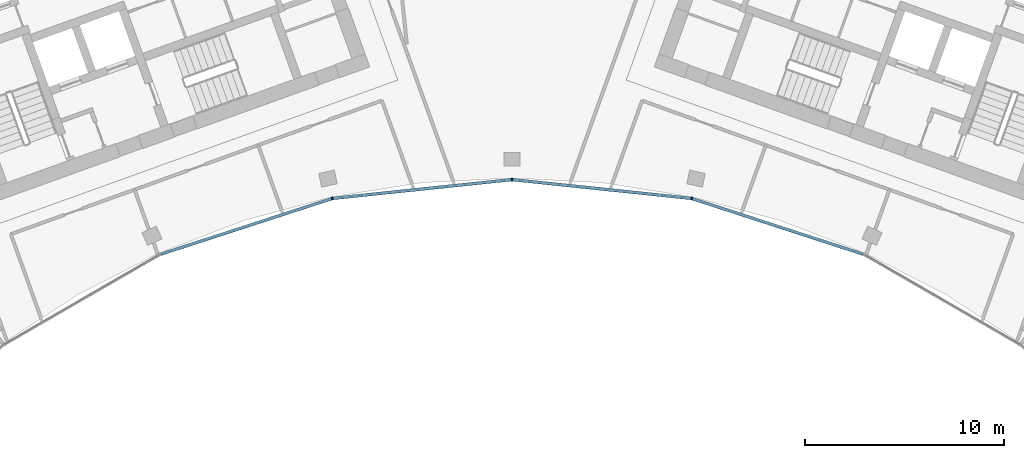
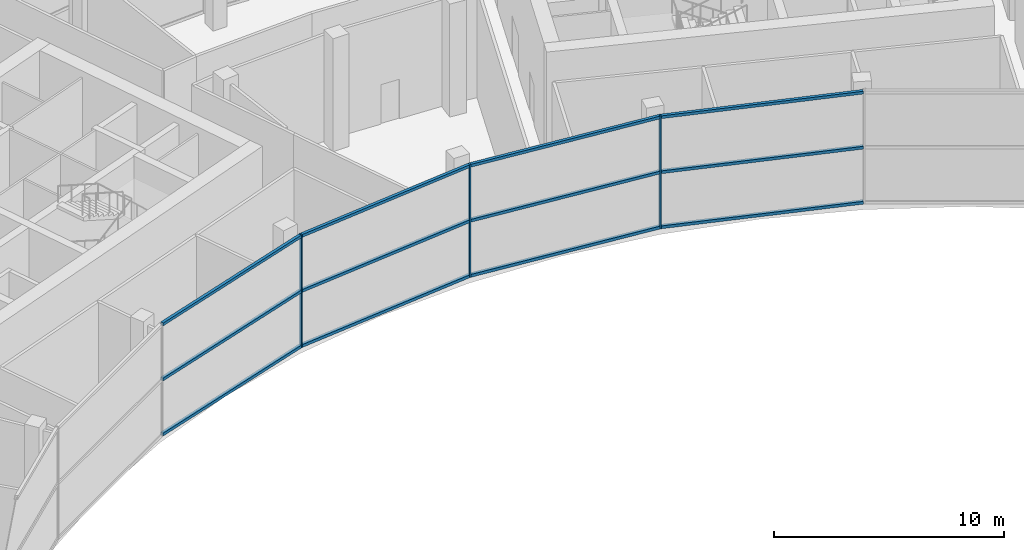
# One storey, part 4 of 18: 15 members, 1 element without a shape of its own.
"""IFC4 building model written with IfcOpenShell, lengths in metres."""

from ifc_helpers import new_model, si_unit, direction, frame, origin, origin_2d, place, context, subcontext, project, spatial, rectangle, extrude, material, layer, layer_set, material_profile, profile_set, type_object, element, aggregate, save


model = new_model("IFC4")

# Units and contexts
model_context = context("Model", 3, precision=1e-05, world=origin(), true_north=direction((0.0, 1.0)))
body_context = subcontext(model_context, "Body", "Model", "MODEL_VIEW")
ifc_project = project(units=[si_unit("LENGTHUNIT", "METRE"), si_unit("AREAUNIT", "SQUARE_METRE"), si_unit("VOLUMEUNIT", "CUBIC_METRE"), si_unit("PLANEANGLEUNIT", "RADIAN"), si_unit("MASSUNIT", "GRAM", prefix="KILO")], contexts=[model_context])

# Site, building, storey
site_placement = place(None, origin())
site = spatial("IfcSite", under=ifc_project, at=site_placement, CompositionType="ELEMENT")
building_placement = place(site_placement, origin())
building = spatial("IfcBuilding", under=site, at=building_placement, Name="Stone Belt Terrace Tower", CompositionType="ELEMENT")
storey_placement = place(building_placement, frame((0.0, 0.0, 307.39990234375)))
storey = spatial("IfcBuildingStorey", under=building, at=storey_placement, Name="L75", CompositionType="ELEMENT", Elevation=307.39990234375)

# Curtain wall, members
ifc_material = material(Name="Aluminium 6063-T6 anodised frame", Category="aluminium")
ifc_layer = layer(ifc_material, 0.14990234375)
ifc_layer_set = layer_set([ifc_layer], Name="CW-F observation floor curtain wall")
curtain_wall_type = type_object("IfcCurtainWallType", Name="CW-F observation floor curtain wall", PredefinedType="NOTDEFINED", material=ifc_layer_set)
curtain_wall_placement = place(storey_placement, origin())
curtain_wall = element("IfcCurtainWall", 1, at=curtain_wall_placement, inside=storey, type_object=curtain_wall_type, Name="CW-F concave face L75", PredefinedType="NOTDEFINED")
ifc_material_profile_1 = material_profile(ifc_material, rectangle(XDim=0.14990234375, YDim=0.070068359375, at=origin_2d()), Name="Aluminium 6063-T6 70x150")
ifc_profile_set_1 = profile_set([ifc_material_profile_1], Name="Aluminium 6063-T6 anodised frame")
member_type_1 = type_object("IfcMemberType", Name="CW-F mullion 70 x 150", PredefinedType="MULLION", material=ifc_profile_set_1)
member_1_placement = place(storey_placement, frame((-9.028564453125, 42.4755859375, 0.0), z_axis=(0.0, 0.0, 1.0), x_axis=(-0.207911690818, 0.978147600734, 0.0)))
member_1 = element("IfcMember", 2, at=member_1_placement, type_object=member_type_1, Name="CW-F mullion 4", PredefinedType="MULLION", context=body_context, shape_type="SweptSolid", body=[
    extrude(rectangle(XDim=0.14990234375, YDim=0.070068359375, at=origin_2d()), origin(), (0.0, 0.0, 1.0), 6.0),
])
member_2_placement = place(storey_placement, frame((0.0, 43.424560546875, 0.0), z_axis=(0.0, 0.0, 1.0), x_axis=(0.0, 1.0, 0.0)))
member_2 = element("IfcMember", 3, at=member_2_placement, type_object=member_type_1, Name="CW-F mullion 5", PredefinedType="MULLION", context=body_context, shape_type="SweptSolid", body=[
    extrude(rectangle(XDim=0.14990234375, YDim=0.070068359375, at=origin_2d()), origin(), (0.0, 0.0, 1.0), 6.0),
])
member_3_placement = place(storey_placement, frame((9.028564453125, 42.4755859375, 0.0), z_axis=(0.0, 0.0, 1.0), x_axis=(0.207911690818, 0.978147600734, 0.0)))
member_3 = element("IfcMember", 4, at=member_3_placement, type_object=member_type_1, Name="CW-F mullion 6", PredefinedType="MULLION", context=body_context, shape_type="SweptSolid", body=[
    extrude(rectangle(XDim=0.14990234375, YDim=0.070068359375, at=origin_2d()), origin(), (0.0, 0.0, 1.0), 6.0),
])
ifc_material_profile_2 = material_profile(ifc_material, rectangle(XDim=0.14990234375, YDim=0.14990234375, at=origin_2d()), Name="Aluminium 6063-T6 150x150")
ifc_profile_set_2 = profile_set([ifc_material_profile_2], Name="Aluminium 6063-T6 anodised frame")
member_type_2 = type_object("IfcMemberType", Name="CW-F transom 150 x 150", PredefinedType="USERDEFINED", material=ifc_profile_set_2)
member_4_placement = place(storey_placement, frame((-17.621826171875, 39.68359375, 0.0751953125), z_axis=(0.951061198076, 0.309002584965, 0.0), x_axis=(-0.309002584965, 0.951061198076, 0.0)))
member_4 = element("IfcMember", 5, at=member_4_placement, type_object=member_type_2, Name="CW-F transom 3.1", ObjectType="TRANSOM", PredefinedType="USERDEFINED", context=body_context, shape_type="SweptSolid", body=[
    extrude(rectangle(XDim=0.14990234375, YDim=0.14990234375, at=origin_2d()), origin(), (0.0, 0.0, 1.0), 8.992919921875),
])
member_5_placement = place(storey_placement, frame((-17.621826171875, 39.68359375, 3.0), z_axis=(0.951061198076, 0.309002584965, 0.0), x_axis=(-0.309002584965, 0.951061198076, 0.0)))
member_5 = element("IfcMember", 6, at=member_5_placement, type_object=member_type_2, Name="CW-F transom 3.2", ObjectType="TRANSOM", PredefinedType="USERDEFINED", context=body_context, shape_type="SweptSolid", body=[
    extrude(rectangle(XDim=0.14990234375, YDim=0.14990234375, at=origin_2d()), origin(), (0.0, 0.0, 1.0), 8.992919921875),
])
member_6_placement = place(storey_placement, frame((-17.621826171875, 39.68359375, 5.925048828125), z_axis=(0.951061198076, 0.309002584965, 0.0), x_axis=(-0.309002584965, 0.951061198076, 0.0)))
member_6 = element("IfcMember", 7, at=member_6_placement, type_object=member_type_2, Name="CW-F transom 3.3", ObjectType="TRANSOM", PredefinedType="USERDEFINED", context=body_context, shape_type="SweptSolid", body=[
    extrude(rectangle(XDim=0.14990234375, YDim=0.14990234375, at=origin_2d()), origin(), (0.0, 0.0, 1.0), 8.992919921875),
])
member_7_placement = place(storey_placement, frame((-8.986083984375, 42.480224609375, 0.0751953125), z_axis=(0.994522695299, 0.104520852152, 0.0), x_axis=(-0.104520852152, 0.994522695299, 0.0)))
member_7 = element("IfcMember", 8, at=member_7_placement, type_object=member_type_2, Name="CW-F transom 4.1", ObjectType="TRANSOM", PredefinedType="USERDEFINED", context=body_context, shape_type="SweptSolid", body=[
    extrude(rectangle(XDim=0.14990234375, YDim=0.14990234375, at=origin_2d()), origin(), (0.0, 0.0, 1.0), 8.992919921875),
])
member_8_placement = place(storey_placement, frame((-8.986083984375, 42.480224609375, 3.0), z_axis=(0.994522695299, 0.104520852152, 0.0), x_axis=(-0.104520852152, 0.994522695299, 0.0)))
member_8 = element("IfcMember", 9, at=member_8_placement, type_object=member_type_2, Name="CW-F transom 4.2", ObjectType="TRANSOM", PredefinedType="USERDEFINED", context=body_context, shape_type="SweptSolid", body=[
    extrude(rectangle(XDim=0.14990234375, YDim=0.14990234375, at=origin_2d()), origin(), (0.0, 0.0, 1.0), 8.992919921875),
])
member_9_placement = place(storey_placement, frame((-8.986083984375, 42.480224609375, 5.925048828125), z_axis=(0.994522695299, 0.104520852152, 0.0), x_axis=(-0.104520852152, 0.994522695299, 0.0)))
member_9 = element("IfcMember", 10, at=member_9_placement, type_object=member_type_2, Name="CW-F transom 4.3", ObjectType="TRANSOM", PredefinedType="USERDEFINED", context=body_context, shape_type="SweptSolid", body=[
    extrude(rectangle(XDim=0.14990234375, YDim=0.14990234375, at=origin_2d()), origin(), (0.0, 0.0, 1.0), 8.992919921875),
])
member_10_placement = place(storey_placement, frame((0.04248046875, 43.420166015625, 0.0751953125), z_axis=(0.994522695299, -0.104520852152, 0.0), x_axis=(0.104520852152, 0.994522695299, 0.0)))
member_10 = element("IfcMember", 11, at=member_10_placement, type_object=member_type_2, Name="CW-F transom 5.1", ObjectType="TRANSOM", PredefinedType="USERDEFINED", context=body_context, shape_type="SweptSolid", body=[
    extrude(rectangle(XDim=0.14990234375, YDim=0.14990234375, at=origin_2d()), origin(), (0.0, 0.0, 1.0), 8.992919921875),
])
member_11_placement = place(storey_placement, frame((0.04248046875, 43.420166015625, 3.0), z_axis=(0.994522695299, -0.104520852152, 0.0), x_axis=(0.104520852152, 0.994522695299, 0.0)))
member_11 = element("IfcMember", 12, at=member_11_placement, type_object=member_type_2, Name="CW-F transom 5.2", ObjectType="TRANSOM", PredefinedType="USERDEFINED", context=body_context, shape_type="SweptSolid", body=[
    extrude(rectangle(XDim=0.14990234375, YDim=0.14990234375, at=origin_2d()), origin(), (0.0, 0.0, 1.0), 8.992919921875),
])
member_12_placement = place(storey_placement, frame((0.04248046875, 43.420166015625, 5.925048828125), z_axis=(0.994522695299, -0.104520852152, 0.0), x_axis=(0.104520852152, 0.994522695299, 0.0)))
member_12 = element("IfcMember", 13, at=member_12_placement, type_object=member_type_2, Name="CW-F transom 5.3", ObjectType="TRANSOM", PredefinedType="USERDEFINED", context=body_context, shape_type="SweptSolid", body=[
    extrude(rectangle(XDim=0.14990234375, YDim=0.14990234375, at=origin_2d()), origin(), (0.0, 0.0, 1.0), 8.992919921875),
])
member_13_placement = place(storey_placement, frame((9.069091796875, 42.46240234375, 0.0751953125), z_axis=(0.951061198076, -0.309002584965, 0.0), x_axis=(0.309002584965, 0.951061198076, 0.0)))
member_13 = element("IfcMember", 14, at=member_13_placement, type_object=member_type_2, Name="CW-F transom 6.1", ObjectType="TRANSOM", PredefinedType="USERDEFINED", context=body_context, shape_type="SweptSolid", body=[
    extrude(rectangle(XDim=0.14990234375, YDim=0.14990234375, at=origin_2d()), origin(), (0.0, 0.0, 1.0), 8.992919921875),
])
member_14_placement = place(storey_placement, frame((9.069091796875, 42.46240234375, 3.0), z_axis=(0.951061198076, -0.309002584965, 0.0), x_axis=(0.309002584965, 0.951061198076, 0.0)))
member_14 = element("IfcMember", 15, at=member_14_placement, type_object=member_type_2, Name="CW-F transom 6.2", ObjectType="TRANSOM", PredefinedType="USERDEFINED", context=body_context, shape_type="SweptSolid", body=[
    extrude(rectangle(XDim=0.14990234375, YDim=0.14990234375, at=origin_2d()), origin(), (0.0, 0.0, 1.0), 8.992919921875),
])
member_15_placement = place(storey_placement, frame((9.069091796875, 42.46240234375, 5.925048828125), z_axis=(0.951061198076, -0.309002584965, 0.0), x_axis=(0.309002584965, 0.951061198076, 0.0)))
member_15 = element("IfcMember", 16, at=member_15_placement, type_object=member_type_2, Name="CW-F transom 6.3", ObjectType="TRANSOM", PredefinedType="USERDEFINED", context=body_context, shape_type="SweptSolid", body=[
    extrude(rectangle(XDim=0.14990234375, YDim=0.14990234375, at=origin_2d()), origin(), (0.0, 0.0, 1.0), 8.992919921875),
])
aggregate(curtain_wall, [member_1, member_2, member_3, member_4, member_5, member_6, member_7, member_8, member_9, member_10, member_11, member_12, member_13, member_14, member_15])

save(model, "model.ifc")
